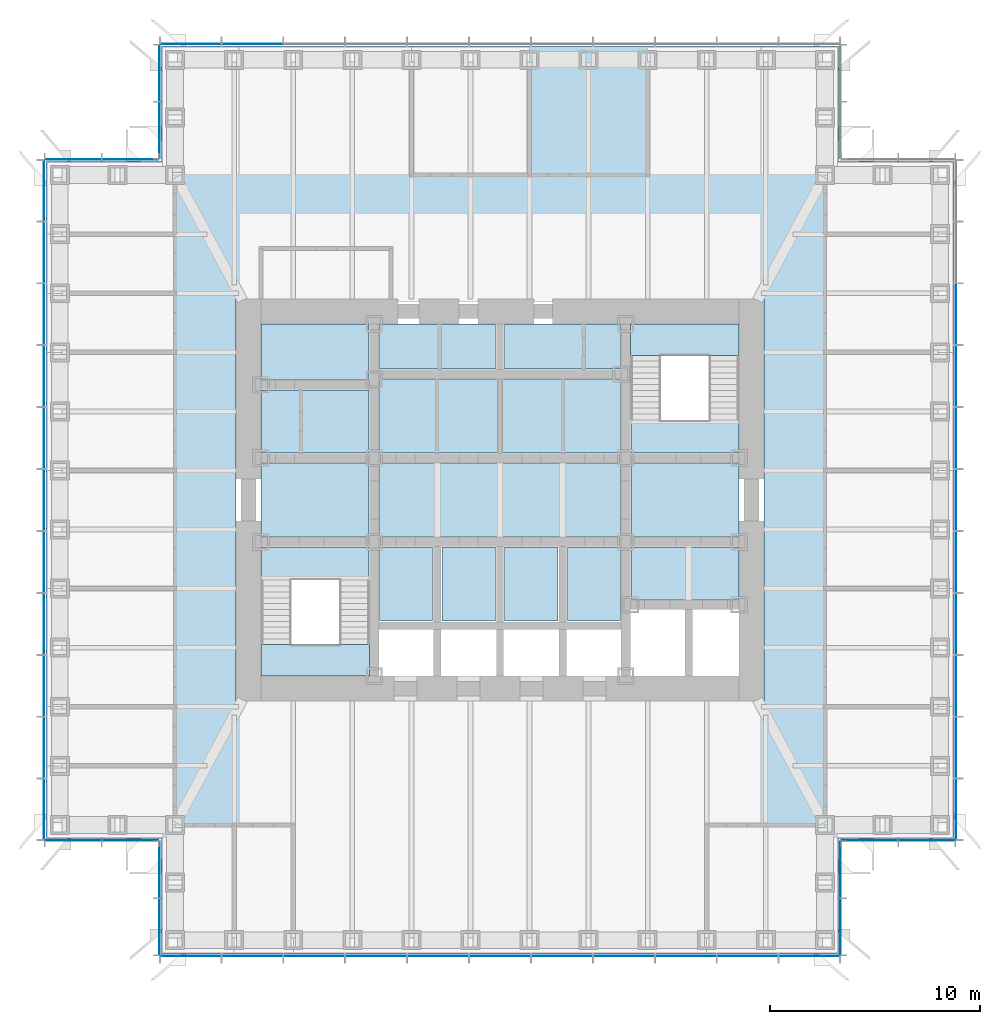
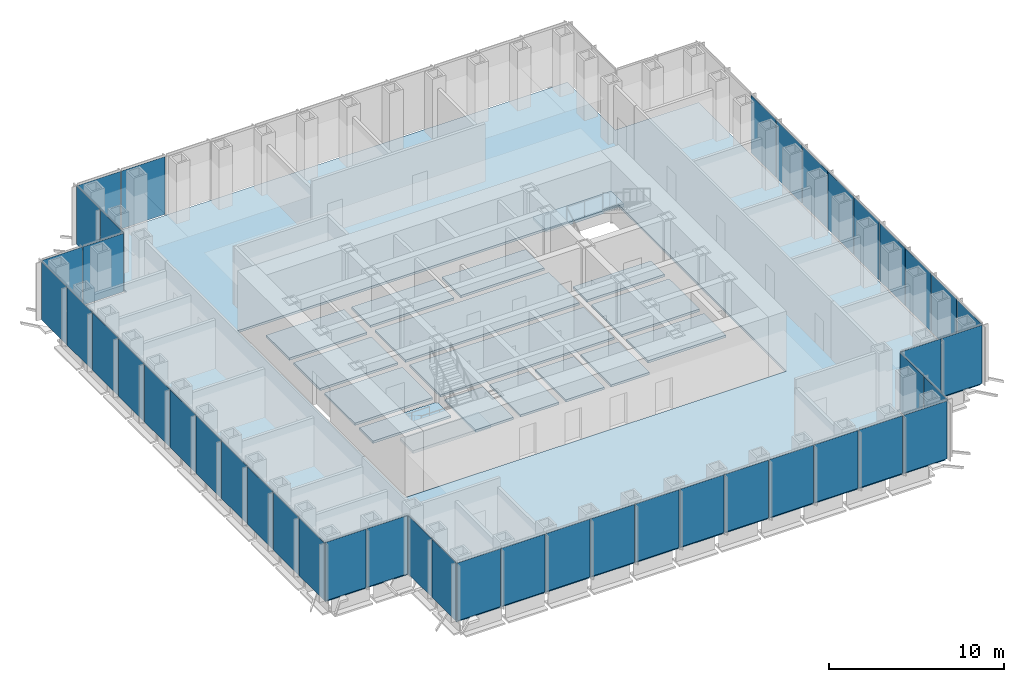
# One storey, part 7 of 17: 45 plates, 18 slabs, 12 elements without a shape of their own.
"""IFC4 building model written with IfcOpenShell, lengths in metres."""

from ifc_helpers import new_model, si_unit, direction, frame, origin, origin_2d, place, context, subcontext, project, spatial, polyline, rectangle, outline, extrude, material, layer, layer_set, type_object, element, aggregate, save


model = new_model("IFC4")

# Units and contexts
model_context = context("Model", 3, precision=1e-05, world=origin(), true_north=direction((0.0, 1.0)))
body_context = subcontext(model_context, "Body", "Model", "MODEL_VIEW")
ifc_project = project(units=[si_unit("LENGTHUNIT", "METRE"), si_unit("AREAUNIT", "SQUARE_METRE"), si_unit("VOLUMEUNIT", "CUBIC_METRE"), si_unit("PLANEANGLEUNIT", "RADIAN"), si_unit("MASSUNIT", "GRAM", prefix="KILO")], contexts=[model_context])

# Site, building, storey
site_placement = place(None, origin())
site = spatial("IfcSite", under=ifc_project, at=site_placement, CompositionType="ELEMENT")
building_placement = place(site_placement, origin())
building = spatial("IfcBuilding", under=site, at=building_placement, Name="Daluyong Arena Tower", CompositionType="ELEMENT")
storey_placement = place(building_placement, frame((0.0, 0.0, 185.5)))
storey = spatial("IfcBuildingStorey", under=building, at=storey_placement, Name="L41", CompositionType="ELEMENT", Elevation=185.5)

# Curtain wall, plates
ifc_material_1 = material(Name="Bronze anodised aluminium and glass", Category="aluminium")
curtain_wall_type_1 = type_object("IfcCurtainWallType", Name="Curtain wall CW3", PredefinedType="USERDEFINED", material=ifc_material_1)
curtain_wall_1_placement = place(storey_placement, origin())
curtain_wall_1 = element("IfcCurtainWall", 1, at=curtain_wall_1_placement, inside=storey, type_object=curtain_wall_type_1, Name="curtain wall L41 S", ObjectType="UNITISED CURTAIN WALL", PredefinedType="USERDEFINED")
ifc_material_2 = material(Name="Tinted double glazed unit", Category="glass")
ifc_layer_1 = layer(ifc_material_2, 0.030029296875)
ifc_layer_set_1 = layer_set([ifc_layer_1], Name="Tinted double glazed unit")
plate_type_1 = type_object("IfcPlateType", Name="CW3 panel 30", PredefinedType="CURTAIN_PANEL", material=ifc_layer_set_1)
plate_1_placement = place(storey_placement, frame((41.244873046875, 58.25, 0.0), z_axis=(0.0, 0.0, 1.0), x_axis=(1.0, 0.0, 0.0)))
plate_1 = element("IfcPlate", 2, at=plate_1_placement, type_object=plate_type_1, Name="curtain wall L41 S panel 1", PredefinedType="CURTAIN_PANEL", context=body_context, shape_type="SweptSolid", body=[
    extrude(rectangle(XDim=2.849609375, YDim=0.030029296875, at=origin_2d()), origin(), (0.0, 0.0, 1.0), 4.0400390625),
])
plate_2_placement = place(storey_placement, frame((44.181884765625, 58.25, 0.0), z_axis=(0.0, 0.0, 1.0), x_axis=(1.0, 0.0, 0.0)))
plate_2 = element("IfcPlate", 3, at=plate_2_placement, type_object=plate_type_1, Name="curtain wall L41 S panel 2", PredefinedType="CURTAIN_PANEL", context=body_context, shape_type="SweptSolid", body=[
    extrude(rectangle(XDim=2.884521484375, YDim=0.030029296875, at=origin_2d()), origin(), (0.0, 0.0, 1.0), 4.0400390625),
])
plate_3_placement = place(storey_placement, frame((47.136474609375, 58.25, 0.0), z_axis=(0.0, 0.0, 1.0), x_axis=(1.0, 0.0, 0.0)))
plate_3 = element("IfcPlate", 4, at=plate_3_placement, type_object=plate_type_1, Name="curtain wall L41 S panel 3", PredefinedType="CURTAIN_PANEL", context=body_context, shape_type="SweptSolid", body=[
    extrude(rectangle(XDim=2.884521484375, YDim=0.030029296875, at=origin_2d()), origin(), (0.0, 0.0, 1.0), 4.0400390625),
])
plate_4_placement = place(storey_placement, frame((50.0908203125, 58.25, 0.0), z_axis=(0.0, 0.0, 1.0), x_axis=(1.0, 0.0, 0.0)))
plate_4 = element("IfcPlate", 5, at=plate_4_placement, type_object=plate_type_1, Name="curtain wall L41 S panel 4", PredefinedType="CURTAIN_PANEL", context=body_context, shape_type="SweptSolid", body=[
    extrude(rectangle(XDim=2.884521484375, YDim=0.030029296875, at=origin_2d()), origin(), (0.0, 0.0, 1.0), 4.0400390625),
])
plate_5_placement = place(storey_placement, frame((53.04541015625, 58.25, 0.0), z_axis=(0.0, 0.0, 1.0), x_axis=(1.0, 0.0, 0.0)))
plate_5 = element("IfcPlate", 6, at=plate_5_placement, type_object=plate_type_1, Name="curtain wall L41 S panel 5", PredefinedType="CURTAIN_PANEL", context=body_context, shape_type="SweptSolid", body=[
    extrude(rectangle(XDim=2.884521484375, YDim=0.030029296875, at=origin_2d()), origin(), (0.0, 0.0, 1.0), 4.0400390625),
])
plate_6_placement = place(storey_placement, frame((56.0, 58.25, 0.0), z_axis=(0.0, 0.0, 1.0), x_axis=(1.0, 0.0, 0.0)))
plate_6 = element("IfcPlate", 7, at=plate_6_placement, type_object=plate_type_1, Name="curtain wall L41 S panel 6", PredefinedType="CURTAIN_PANEL", context=body_context, shape_type="SweptSolid", body=[
    extrude(rectangle(XDim=2.884521484375, YDim=0.030029296875, at=origin_2d()), origin(), (0.0, 0.0, 1.0), 4.0400390625),
])
plate_7_placement = place(storey_placement, frame((58.95458984375, 58.25, 0.0), z_axis=(0.0, 0.0, 1.0), x_axis=(1.0, 0.0, 0.0)))
plate_7 = element("IfcPlate", 8, at=plate_7_placement, type_object=plate_type_1, Name="curtain wall L41 S panel 7", PredefinedType="CURTAIN_PANEL", context=body_context, shape_type="SweptSolid", body=[
    extrude(rectangle(XDim=2.884521484375, YDim=0.030029296875, at=origin_2d()), origin(), (0.0, 0.0, 1.0), 4.0400390625),
])
plate_8_placement = place(storey_placement, frame((61.9091796875, 58.25, 0.0), z_axis=(0.0, 0.0, 1.0), x_axis=(1.0, 0.0, 0.0)))
plate_8 = element("IfcPlate", 9, at=plate_8_placement, type_object=plate_type_1, Name="curtain wall L41 S panel 8", PredefinedType="CURTAIN_PANEL", context=body_context, shape_type="SweptSolid", body=[
    extrude(rectangle(XDim=2.884521484375, YDim=0.030029296875, at=origin_2d()), origin(), (0.0, 0.0, 1.0), 4.0400390625),
])
plate_9_placement = place(storey_placement, frame((64.863525390625, 58.25, 0.0), z_axis=(0.0, 0.0, 1.0), x_axis=(1.0, 0.0, 0.0)))
plate_9 = element("IfcPlate", 10, at=plate_9_placement, type_object=plate_type_1, Name="curtain wall L41 S panel 9", PredefinedType="CURTAIN_PANEL", context=body_context, shape_type="SweptSolid", body=[
    extrude(rectangle(XDim=2.884521484375, YDim=0.030029296875, at=origin_2d()), origin(), (0.0, 0.0, 1.0), 4.0400390625),
])
plate_10_placement = place(storey_placement, frame((67.818115234375, 58.25, 0.0), z_axis=(0.0, 0.0, 1.0), x_axis=(1.0, 0.0, 0.0)))
plate_10 = element("IfcPlate", 11, at=plate_10_placement, type_object=plate_type_1, Name="curtain wall L41 S panel 10", PredefinedType="CURTAIN_PANEL", context=body_context, shape_type="SweptSolid", body=[
    extrude(rectangle(XDim=2.884521484375, YDim=0.030029296875, at=origin_2d()), origin(), (0.0, 0.0, 1.0), 4.0400390625),
])
plate_11_placement = place(storey_placement, frame((70.755126953125, 58.25, 0.0), z_axis=(0.0, 0.0, 1.0), x_axis=(1.0, 0.0, 0.0)))
plate_11 = element("IfcPlate", 12, at=plate_11_placement, type_object=plate_type_1, Name="curtain wall L41 S panel 11", PredefinedType="CURTAIN_PANEL", context=body_context, shape_type="SweptSolid", body=[
    extrude(rectangle(XDim=2.849609375, YDim=0.030029296875, at=origin_2d()), origin(), (0.0, 0.0, 1.0), 4.0400390625),
])
aggregate(curtain_wall_1, [plate_1, plate_2, plate_3, plate_4, plate_5, plate_6, plate_7, plate_8, plate_9, plate_10, plate_11])

curtain_wall_2_placement = place(storey_placement, origin())
curtain_wall_2 = element("IfcCurtainWall", 13, at=curtain_wall_2_placement, inside=storey, type_object=curtain_wall_type_1, Name="curtain wall L41 E", ObjectType="UNITISED CURTAIN WALL", PredefinedType="USERDEFINED")
plate_12_placement = place(storey_placement, frame((77.75, 65.244873046875, 0.0), z_axis=(0.0, 0.0, 1.0), x_axis=(0.0, 1.0, 0.0)))
plate_12 = element("IfcPlate", 14, at=plate_12_placement, type_object=plate_type_1, Name="curtain wall L41 E panel 1", PredefinedType="CURTAIN_PANEL", context=body_context, shape_type="SweptSolid", body=[
    extrude(rectangle(XDim=2.849609375, YDim=0.030029296875, at=origin_2d()), origin(), (0.0, 0.0, 1.0), 4.0400390625),
])
plate_13_placement = place(storey_placement, frame((77.75, 68.181884765625, 0.0), z_axis=(0.0, 0.0, 1.0), x_axis=(0.0, 1.0, 0.0)))
plate_13 = element("IfcPlate", 15, at=plate_13_placement, type_object=plate_type_1, Name="curtain wall L41 E panel 2", PredefinedType="CURTAIN_PANEL", context=body_context, shape_type="SweptSolid", body=[
    extrude(rectangle(XDim=2.884521484375, YDim=0.030029296875, at=origin_2d()), origin(), (0.0, 0.0, 1.0), 4.0400390625),
])
plate_14_placement = place(storey_placement, frame((77.75, 71.136474609375, 0.0), z_axis=(0.0, 0.0, 1.0), x_axis=(0.0, 1.0, 0.0)))
plate_14 = element("IfcPlate", 16, at=plate_14_placement, type_object=plate_type_1, Name="curtain wall L41 E panel 3", PredefinedType="CURTAIN_PANEL", context=body_context, shape_type="SweptSolid", body=[
    extrude(rectangle(XDim=2.884521484375, YDim=0.030029296875, at=origin_2d()), origin(), (0.0, 0.0, 1.0), 4.0400390625),
])
plate_15_placement = place(storey_placement, frame((77.75, 74.0908203125, 0.0), z_axis=(0.0, 0.0, 1.0), x_axis=(0.0, 1.0, 0.0)))
plate_15 = element("IfcPlate", 17, at=plate_15_placement, type_object=plate_type_1, Name="curtain wall L41 E panel 4", PredefinedType="CURTAIN_PANEL", context=body_context, shape_type="SweptSolid", body=[
    extrude(rectangle(XDim=2.884521484375, YDim=0.030029296875, at=origin_2d()), origin(), (0.0, 0.0, 1.0), 4.0400390625),
])
plate_16_placement = place(storey_placement, frame((77.75, 77.04541015625, 0.0), z_axis=(0.0, 0.0, 1.0), x_axis=(0.0, 1.0, 0.0)))
plate_16 = element("IfcPlate", 18, at=plate_16_placement, type_object=plate_type_1, Name="curtain wall L41 E panel 5", PredefinedType="CURTAIN_PANEL", context=body_context, shape_type="SweptSolid", body=[
    extrude(rectangle(XDim=2.884521484375, YDim=0.030029296875, at=origin_2d()), origin(), (0.0, 0.0, 1.0), 4.0400390625),
])
plate_17_placement = place(storey_placement, frame((77.75, 80.0, 0.0), z_axis=(0.0, 0.0, 1.0), x_axis=(0.0, 1.0, 0.0)))
plate_17 = element("IfcPlate", 19, at=plate_17_placement, type_object=plate_type_1, Name="curtain wall L41 E panel 6", PredefinedType="CURTAIN_PANEL", context=body_context, shape_type="SweptSolid", body=[
    extrude(rectangle(XDim=2.884521484375, YDim=0.030029296875, at=origin_2d()), origin(), (0.0, 0.0, 1.0), 4.0400390625),
])
plate_18_placement = place(storey_placement, frame((77.75, 82.95458984375, 0.0), z_axis=(0.0, 0.0, 1.0), x_axis=(0.0, 1.0, 0.0)))
plate_18 = element("IfcPlate", 20, at=plate_18_placement, type_object=plate_type_1, Name="curtain wall L41 E panel 7", PredefinedType="CURTAIN_PANEL", context=body_context, shape_type="SweptSolid", body=[
    extrude(rectangle(XDim=2.884521484375, YDim=0.030029296875, at=origin_2d()), origin(), (0.0, 0.0, 1.0), 4.0400390625),
])
plate_19_placement = place(storey_placement, frame((77.75, 85.9091796875, 0.0), z_axis=(0.0, 0.0, 1.0), x_axis=(0.0, 1.0, 0.0)))
plate_19 = element("IfcPlate", 21, at=plate_19_placement, type_object=plate_type_1, Name="curtain wall L41 E panel 8", PredefinedType="CURTAIN_PANEL", context=body_context, shape_type="SweptSolid", body=[
    extrude(rectangle(XDim=2.884521484375, YDim=0.030029296875, at=origin_2d()), origin(), (0.0, 0.0, 1.0), 4.0400390625),
])
plate_20_placement = place(storey_placement, frame((77.75, 88.863525390625, 0.0), z_axis=(0.0, 0.0, 1.0), x_axis=(0.0, 1.0, 0.0)))
plate_20 = element("IfcPlate", 22, at=plate_20_placement, type_object=plate_type_1, Name="curtain wall L41 E panel 9", PredefinedType="CURTAIN_PANEL", context=body_context, shape_type="SweptSolid", body=[
    extrude(rectangle(XDim=2.884521484375, YDim=0.030029296875, at=origin_2d()), origin(), (0.0, 0.0, 1.0), 4.0400390625),
])
aggregate(curtain_wall_2, [plate_12, plate_13, plate_14, plate_15, plate_16, plate_17, plate_18, plate_19, plate_20])

curtain_wall_3_placement = place(storey_placement, origin())
curtain_wall_3 = element("IfcCurtainWall", 23, at=curtain_wall_3_placement, inside=storey, type_object=curtain_wall_type_1, Name="curtain wall L41 N", ObjectType="UNITISED CURTAIN WALL", PredefinedType="USERDEFINED")
plate_21_placement = place(storey_placement, frame((44.181884765625, 101.75, 0.0), z_axis=(0.0, 0.0, 1.0), x_axis=(-1.0, 0.0, 0.0)))
plate_21 = element("IfcPlate", 24, at=plate_21_placement, type_object=plate_type_1, Name="curtain wall L41 N panel 10", PredefinedType="CURTAIN_PANEL", context=body_context, shape_type="SweptSolid", body=[
    extrude(rectangle(XDim=2.884521484375, YDim=0.030029296875, at=origin_2d()), origin(), (0.0, 0.0, 1.0), 4.0400390625),
])
plate_22_placement = place(storey_placement, frame((41.244873046875, 101.75, 0.0), z_axis=(0.0, 0.0, 1.0), x_axis=(-1.0, 0.0, 0.0)))
plate_22 = element("IfcPlate", 25, at=plate_22_placement, type_object=plate_type_1, Name="curtain wall L41 N panel 11", PredefinedType="CURTAIN_PANEL", context=body_context, shape_type="SweptSolid", body=[
    extrude(rectangle(XDim=2.849609375, YDim=0.030029296875, at=origin_2d()), origin(), (0.0, 0.0, 1.0), 4.0400390625),
])
aggregate(curtain_wall_3, [plate_21, plate_22])

curtain_wall_4_placement = place(storey_placement, origin())
curtain_wall_4 = element("IfcCurtainWall", 26, at=curtain_wall_4_placement, inside=storey, type_object=curtain_wall_type_1, Name="curtain wall L41 W", ObjectType="UNITISED CURTAIN WALL", PredefinedType="USERDEFINED")
plate_23_placement = place(storey_placement, frame((34.25, 94.755126953125, 0.0), z_axis=(0.0, 0.0, 1.0), x_axis=(0.0, -1.0, 0.0)))
plate_23 = element("IfcPlate", 27, at=plate_23_placement, type_object=plate_type_1, Name="curtain wall L41 W panel 1", PredefinedType="CURTAIN_PANEL", context=body_context, shape_type="SweptSolid", body=[
    extrude(rectangle(XDim=2.849609375, YDim=0.030029296875, at=origin_2d()), origin(), (0.0, 0.0, 1.0), 4.0400390625),
])
plate_24_placement = place(storey_placement, frame((34.25, 91.818115234375, 0.0), z_axis=(0.0, 0.0, 1.0), x_axis=(0.0, -1.0, 0.0)))
plate_24 = element("IfcPlate", 28, at=plate_24_placement, type_object=plate_type_1, Name="curtain wall L41 W panel 2", PredefinedType="CURTAIN_PANEL", context=body_context, shape_type="SweptSolid", body=[
    extrude(rectangle(XDim=2.884521484375, YDim=0.030029296875, at=origin_2d()), origin(), (0.0, 0.0, 1.0), 4.0400390625),
])
plate_25_placement = place(storey_placement, frame((34.25, 88.863525390625, 0.0), z_axis=(0.0, 0.0, 1.0), x_axis=(0.0, -1.0, 0.0)))
plate_25 = element("IfcPlate", 29, at=plate_25_placement, type_object=plate_type_1, Name="curtain wall L41 W panel 3", PredefinedType="CURTAIN_PANEL", context=body_context, shape_type="SweptSolid", body=[
    extrude(rectangle(XDim=2.884521484375, YDim=0.030029296875, at=origin_2d()), origin(), (0.0, 0.0, 1.0), 4.0400390625),
])
plate_26_placement = place(storey_placement, frame((34.25, 85.9091796875, 0.0), z_axis=(0.0, 0.0, 1.0), x_axis=(0.0, -1.0, 0.0)))
plate_26 = element("IfcPlate", 30, at=plate_26_placement, type_object=plate_type_1, Name="curtain wall L41 W panel 4", PredefinedType="CURTAIN_PANEL", context=body_context, shape_type="SweptSolid", body=[
    extrude(rectangle(XDim=2.884521484375, YDim=0.030029296875, at=origin_2d()), origin(), (0.0, 0.0, 1.0), 4.0400390625),
])
plate_27_placement = place(storey_placement, frame((34.25, 82.95458984375, 0.0), z_axis=(0.0, 0.0, 1.0), x_axis=(0.0, -1.0, 0.0)))
plate_27 = element("IfcPlate", 31, at=plate_27_placement, type_object=plate_type_1, Name="curtain wall L41 W panel 5", PredefinedType="CURTAIN_PANEL", context=body_context, shape_type="SweptSolid", body=[
    extrude(rectangle(XDim=2.884521484375, YDim=0.030029296875, at=origin_2d()), origin(), (0.0, 0.0, 1.0), 4.0400390625),
])
plate_28_placement = place(storey_placement, frame((34.25, 80.0, 0.0), z_axis=(0.0, 0.0, 1.0), x_axis=(0.0, -1.0, 0.0)))
plate_28 = element("IfcPlate", 32, at=plate_28_placement, type_object=plate_type_1, Name="curtain wall L41 W panel 6", PredefinedType="CURTAIN_PANEL", context=body_context, shape_type="SweptSolid", body=[
    extrude(rectangle(XDim=2.884521484375, YDim=0.030029296875, at=origin_2d()), origin(), (0.0, 0.0, 1.0), 4.0400390625),
])
plate_29_placement = place(storey_placement, frame((34.25, 77.04541015625, 0.0), z_axis=(0.0, 0.0, 1.0), x_axis=(0.0, -1.0, 0.0)))
plate_29 = element("IfcPlate", 33, at=plate_29_placement, type_object=plate_type_1, Name="curtain wall L41 W panel 7", PredefinedType="CURTAIN_PANEL", context=body_context, shape_type="SweptSolid", body=[
    extrude(rectangle(XDim=2.884521484375, YDim=0.030029296875, at=origin_2d()), origin(), (0.0, 0.0, 1.0), 4.0400390625),
])
plate_30_placement = place(storey_placement, frame((34.25, 74.0908203125, 0.0), z_axis=(0.0, 0.0, 1.0), x_axis=(0.0, -1.0, 0.0)))
plate_30 = element("IfcPlate", 34, at=plate_30_placement, type_object=plate_type_1, Name="curtain wall L41 W panel 8", PredefinedType="CURTAIN_PANEL", context=body_context, shape_type="SweptSolid", body=[
    extrude(rectangle(XDim=2.884521484375, YDim=0.030029296875, at=origin_2d()), origin(), (0.0, 0.0, 1.0), 4.0400390625),
])
plate_31_placement = place(storey_placement, frame((34.25, 71.136474609375, 0.0), z_axis=(0.0, 0.0, 1.0), x_axis=(0.0, -1.0, 0.0)))
plate_31 = element("IfcPlate", 35, at=plate_31_placement, type_object=plate_type_1, Name="curtain wall L41 W panel 9", PredefinedType="CURTAIN_PANEL", context=body_context, shape_type="SweptSolid", body=[
    extrude(rectangle(XDim=2.884521484375, YDim=0.030029296875, at=origin_2d()), origin(), (0.0, 0.0, 1.0), 4.0400390625),
])
plate_32_placement = place(storey_placement, frame((34.25, 68.181884765625, 0.0), z_axis=(0.0, 0.0, 1.0), x_axis=(0.0, -1.0, 0.0)))
plate_32 = element("IfcPlate", 36, at=plate_32_placement, type_object=plate_type_1, Name="curtain wall L41 W panel 10", PredefinedType="CURTAIN_PANEL", context=body_context, shape_type="SweptSolid", body=[
    extrude(rectangle(XDim=2.884521484375, YDim=0.030029296875, at=origin_2d()), origin(), (0.0, 0.0, 1.0), 4.0400390625),
])
plate_33_placement = place(storey_placement, frame((34.25, 65.244873046875, 0.0), z_axis=(0.0, 0.0, 1.0), x_axis=(0.0, -1.0, 0.0)))
plate_33 = element("IfcPlate", 37, at=plate_33_placement, type_object=plate_type_1, Name="curtain wall L41 W panel 11", PredefinedType="CURTAIN_PANEL", context=body_context, shape_type="SweptSolid", body=[
    extrude(rectangle(XDim=2.849609375, YDim=0.030029296875, at=origin_2d()), origin(), (0.0, 0.0, 1.0), 4.0400390625),
])
aggregate(curtain_wall_4, [plate_23, plate_24, plate_25, plate_26, plate_27, plate_28, plate_29, plate_30, plate_31, plate_32, plate_33])

ifc_material_3 = material(Name="Bronze anodised aluminium and glass", Category="aluminium")
curtain_wall_type_2 = type_object("IfcCurtainWallType", Name="Curtain wall CW7", PredefinedType="USERDEFINED", material=ifc_material_3)
curtain_wall_5_placement = place(storey_placement, origin())
curtain_wall_5 = element("IfcCurtainWall", 38, at=curtain_wall_5_placement, inside=storey, type_object=curtain_wall_type_2, Name="curtain wall L41 SE-E", ObjectType="UNITISED CURTAIN WALL", PredefinedType="USERDEFINED")
ifc_material_4 = material(Name="Tinted double glazed unit", Category="glass")
ifc_layer_2 = layer(ifc_material_4, 0.028076171875)
ifc_layer_set_2 = layer_set([ifc_layer_2], Name="Tinted double glazed unit")
plate_type_2 = type_object("IfcPlateType", Name="CW7 panel 28", PredefinedType="CURTAIN_PANEL", material=ifc_layer_set_2)
plate_34_placement = place(storey_placement, frame((72.25, 59.639892578125, 0.0), z_axis=(0.0, 0.0, 1.0), x_axis=(0.0, 1.0, 0.0)))
plate_34 = element("IfcPlate", 39, at=plate_34_placement, type_object=plate_type_2, Name="curtain wall L41 SE-E panel 1", PredefinedType="CURTAIN_PANEL", context=body_context, shape_type="SweptSolid", body=[
    extrude(rectangle(XDim=2.659912109375, YDim=0.028076171875, at=origin_2d()), origin(), (0.0, 0.0, 1.0), 4.080078125),
])
plate_35_placement = place(storey_placement, frame((72.25, 62.360107421875, 0.0), z_axis=(0.0, 0.0, 1.0), x_axis=(0.0, 1.0, 0.0)))
plate_35 = element("IfcPlate", 40, at=plate_35_placement, type_object=plate_type_2, Name="curtain wall L41 SE-E panel 2", PredefinedType="CURTAIN_PANEL", context=body_context, shape_type="SweptSolid", body=[
    extrude(rectangle(XDim=2.659912109375, YDim=0.028076171875, at=origin_2d()), origin(), (0.0, 0.0, 1.0), 4.080078125),
])
aggregate(curtain_wall_5, [plate_34, plate_35])

curtain_wall_6_placement = place(storey_placement, origin())
curtain_wall_6 = element("IfcCurtainWall", 41, at=curtain_wall_6_placement, inside=storey, type_object=curtain_wall_type_2, Name="curtain wall L41 SE-S", ObjectType="UNITISED CURTAIN WALL", PredefinedType="USERDEFINED")
plate_36_placement = place(storey_placement, frame((73.639892578125, 63.75, 0.0), z_axis=(0.0, 0.0, 1.0), x_axis=(1.0, 0.0, 0.0)))
plate_36 = element("IfcPlate", 42, at=plate_36_placement, type_object=plate_type_2, Name="curtain wall L41 SE-S panel 1", PredefinedType="CURTAIN_PANEL", context=body_context, shape_type="SweptSolid", body=[
    extrude(rectangle(XDim=2.659912109375, YDim=0.028076171875, at=origin_2d()), origin(), (0.0, 0.0, 1.0), 4.080078125),
])
plate_37_placement = place(storey_placement, frame((76.360107421875, 63.75, 0.0), z_axis=(0.0, 0.0, 1.0), x_axis=(1.0, 0.0, 0.0)))
plate_37 = element("IfcPlate", 43, at=plate_37_placement, type_object=plate_type_2, Name="curtain wall L41 SE-S panel 2", PredefinedType="CURTAIN_PANEL", context=body_context, shape_type="SweptSolid", body=[
    extrude(rectangle(XDim=2.659912109375, YDim=0.028076171875, at=origin_2d()), origin(), (0.0, 0.0, 1.0), 4.080078125),
])
aggregate(curtain_wall_6, [plate_36, plate_37])

curtain_wall_7_placement = place(storey_placement, origin())
curtain_wall_7 = element("IfcCurtainWall", 44, at=curtain_wall_7_placement, inside=storey, type_object=curtain_wall_type_2, Name="curtain wall L41 NW-W", ObjectType="UNITISED CURTAIN WALL", PredefinedType="USERDEFINED")
plate_38_placement = place(storey_placement, frame((39.75, 100.360107421875, 0.0), z_axis=(0.0, 0.0, 1.0), x_axis=(0.0, -1.0, 0.0)))
plate_38 = element("IfcPlate", 45, at=plate_38_placement, type_object=plate_type_2, Name="curtain wall L41 NW-W panel 1", PredefinedType="CURTAIN_PANEL", context=body_context, shape_type="SweptSolid", body=[
    extrude(rectangle(XDim=2.659912109375, YDim=0.028076171875, at=origin_2d()), origin(), (0.0, 0.0, 1.0), 4.080078125),
])
plate_39_placement = place(storey_placement, frame((39.75, 97.639892578125, 0.0), z_axis=(0.0, 0.0, 1.0), x_axis=(0.0, -1.0, 0.0)))
plate_39 = element("IfcPlate", 46, at=plate_39_placement, type_object=plate_type_2, Name="curtain wall L41 NW-W panel 2", PredefinedType="CURTAIN_PANEL", context=body_context, shape_type="SweptSolid", body=[
    extrude(rectangle(XDim=2.659912109375, YDim=0.028076171875, at=origin_2d()), origin(), (0.0, 0.0, 1.0), 4.080078125),
])
aggregate(curtain_wall_7, [plate_38, plate_39])

curtain_wall_8_placement = place(storey_placement, origin())
curtain_wall_8 = element("IfcCurtainWall", 47, at=curtain_wall_8_placement, inside=storey, type_object=curtain_wall_type_2, Name="curtain wall L41 NW-N", ObjectType="UNITISED CURTAIN WALL", PredefinedType="USERDEFINED")
plate_40_placement = place(storey_placement, frame((38.360107421875, 96.25, 0.0), z_axis=(0.0, 0.0, 1.0), x_axis=(-1.0, 0.0, 0.0)))
plate_40 = element("IfcPlate", 48, at=plate_40_placement, type_object=plate_type_2, Name="curtain wall L41 NW-N panel 1", PredefinedType="CURTAIN_PANEL", context=body_context, shape_type="SweptSolid", body=[
    extrude(rectangle(XDim=2.659912109375, YDim=0.028076171875, at=origin_2d()), origin(), (0.0, 0.0, 1.0), 4.080078125),
])
plate_41_placement = place(storey_placement, frame((35.639892578125, 96.25, 0.0), z_axis=(0.0, 0.0, 1.0), x_axis=(-1.0, 0.0, 0.0)))
plate_41 = element("IfcPlate", 49, at=plate_41_placement, type_object=plate_type_2, Name="curtain wall L41 NW-N panel 2", PredefinedType="CURTAIN_PANEL", context=body_context, shape_type="SweptSolid", body=[
    extrude(rectangle(XDim=2.659912109375, YDim=0.028076171875, at=origin_2d()), origin(), (0.0, 0.0, 1.0), 4.080078125),
])
aggregate(curtain_wall_8, [plate_40, plate_41])

curtain_wall_9_placement = place(storey_placement, origin())
curtain_wall_9 = element("IfcCurtainWall", 50, at=curtain_wall_9_placement, inside=storey, type_object=curtain_wall_type_2, Name="curtain wall L41 SW-S", ObjectType="UNITISED CURTAIN WALL", PredefinedType="USERDEFINED")
plate_42_placement = place(storey_placement, frame((35.639892578125, 63.75, 0.0), z_axis=(0.0, 0.0, 1.0), x_axis=(1.0, 0.0, 0.0)))
plate_42 = element("IfcPlate", 51, at=plate_42_placement, type_object=plate_type_2, Name="curtain wall L41 SW-S panel 1", PredefinedType="CURTAIN_PANEL", context=body_context, shape_type="SweptSolid", body=[
    extrude(rectangle(XDim=2.659912109375, YDim=0.028076171875, at=origin_2d()), origin(), (0.0, 0.0, 1.0), 4.080078125),
])
plate_43_placement = place(storey_placement, frame((38.360107421875, 63.75, 0.0), z_axis=(0.0, 0.0, 1.0), x_axis=(1.0, 0.0, 0.0)))
plate_43 = element("IfcPlate", 52, at=plate_43_placement, type_object=plate_type_2, Name="curtain wall L41 SW-S panel 2", PredefinedType="CURTAIN_PANEL", context=body_context, shape_type="SweptSolid", body=[
    extrude(rectangle(XDim=2.659912109375, YDim=0.028076171875, at=origin_2d()), origin(), (0.0, 0.0, 1.0), 4.080078125),
])
aggregate(curtain_wall_9, [plate_42, plate_43])

curtain_wall_10_placement = place(storey_placement, origin())
curtain_wall_10 = element("IfcCurtainWall", 53, at=curtain_wall_10_placement, inside=storey, type_object=curtain_wall_type_2, Name="curtain wall L41 SW-W", ObjectType="UNITISED CURTAIN WALL", PredefinedType="USERDEFINED")
plate_44_placement = place(storey_placement, frame((39.75, 62.360107421875, 0.0), z_axis=(0.0, 0.0, 1.0), x_axis=(0.0, -1.0, 0.0)))
plate_44 = element("IfcPlate", 54, at=plate_44_placement, type_object=plate_type_2, Name="curtain wall L41 SW-W panel 1", PredefinedType="CURTAIN_PANEL", context=body_context, shape_type="SweptSolid", body=[
    extrude(rectangle(XDim=2.659912109375, YDim=0.028076171875, at=origin_2d()), origin(), (0.0, 0.0, 1.0), 4.080078125),
])
plate_45_placement = place(storey_placement, frame((39.75, 59.639892578125, 0.0), z_axis=(0.0, 0.0, 1.0), x_axis=(0.0, -1.0, 0.0)))
plate_45 = element("IfcPlate", 55, at=plate_45_placement, type_object=plate_type_2, Name="curtain wall L41 SW-W panel 2", PredefinedType="CURTAIN_PANEL", context=body_context, shape_type="SweptSolid", body=[
    extrude(rectangle(XDim=2.659912109375, YDim=0.028076171875, at=origin_2d()), origin(), (0.0, 0.0, 1.0), 4.080078125),
])
aggregate(curtain_wall_10, [plate_44, plate_45])

# Stair, slab
ifc_material_5 = material(Name="Concrete fc' 35 MPa", Category="concrete")
stair_type = type_object("IfcStairType", Name="Core exit stair", PredefinedType="HALF_TURN_STAIR", material=ifc_material_5)
stair_1_placement = place(storey_placement, origin())
stair_1 = element("IfcStair", 56, at=stair_1_placement, inside=storey, type_object=stair_type, Name="exit stair A L41", PredefinedType="HALF_TURN_STAIR")
ifc_material_6 = material(Name="Concrete fc' 35 MPa", Category="concrete")
ifc_layer_3 = layer(ifc_material_6, 0.199951171875)
ifc_layer_set_3 = layer_set([ifc_layer_3], Name="Concrete fc' 35 MPa")
slab_type_1 = type_object("IfcSlabType", Name="Stair landing 200", PredefinedType="LANDING", material=ifc_layer_set_3)
slab_1_placement = place(storey_placement, frame((0.0, 0.0, 1.89990234375)))
slab_1 = element("IfcSlab", 57, at=slab_1_placement, type_object=slab_type_1, Name="STA landing 1", PredefinedType="LANDING", context=body_context, shape_type="SweptSolid", body=[
    extrude(outline(polyline([(44.60009765625, 71.60009765625), (49.77490234375, 71.60009765625), (49.77490234375, 73.094970703125), (44.60009765625, 73.094970703125), (44.60009765625, 71.60009765625)])), origin(), (0.0, 0.0, 1.0), 0.2001953125),
])
aggregate(stair_1, [slab_1])

stair_2_placement = place(storey_placement, origin())
stair_2 = element("IfcStair", 58, at=stair_2_placement, inside=storey, type_object=stair_type, Name="exit stair B L41", PredefinedType="HALF_TURN_STAIR")
slab_2_placement = place(storey_placement, frame((0.0, 0.0, 1.89990234375)))
slab_2 = element("IfcSlab", 59, at=slab_2_placement, type_object=slab_type_1, Name="STB landing 1", PredefinedType="LANDING", context=body_context, shape_type="SweptSolid", body=[
    extrude(outline(polyline([(62.22509765625, 86.905029296875), (67.39990234375, 86.905029296875), (67.39990234375, 88.39990234375), (62.22509765625, 88.39990234375), (62.22509765625, 86.905029296875)])), origin(), (0.0, 0.0, 1.0), 0.2001953125),
])
aggregate(stair_2, [slab_2])

# Slabs
ifc_material_7 = material(Name="Concrete fc' 35 MPa", Category="concrete")
ifc_layer_4 = layer(ifc_material_7, 0.159912109375)
ifc_layer_set_4 = layer_set([ifc_layer_4], Name="Concrete fc' 35 MPa")
slab_type_2 = type_object("IfcSlabType", Name="Tower floor slab 160", PredefinedType="FLOOR", material=ifc_layer_set_4)
slab_3_placement = place(storey_placement, frame((0.0, 0.0, -0.159912109375)))
element("IfcSlab", 60, at=slab_3_placement, inside=storey, type_object=slab_type_2, Name="floor L41 part 1", PredefinedType="FLOOR", context=body_context, shape_type="SweptSolid", body=[
    extrude(outline(polyline([(49.75, 77.75), (44.60009765625, 77.75), (44.60009765625, 76.175048828125), (49.75, 76.175048828125), (49.75, 77.75)])), origin(), (0.0, 0.0, 1.0), 0.159912109375),
])
slab_4_placement = place(storey_placement, frame((0.0, 0.0, -0.159912109375)))
element("IfcSlab", 61, at=slab_4_placement, inside=storey, type_object=slab_type_2, Name="floor L41 part 2", PredefinedType="FLOOR", context=body_context, shape_type="SweptSolid", body=[
    extrude(outline(polyline([(49.75, 78.25), (49.75, 81.75), (44.60009765625, 81.75), (44.60009765625, 78.25), (49.75, 78.25)])), origin(), (0.0, 0.0, 1.0), 0.159912109375),
])
slab_5_placement = place(storey_placement, frame((0.0, 0.0, -0.159912109375)))
element("IfcSlab", 62, at=slab_5_placement, inside=storey, type_object=slab_type_2, Name="floor L41 part 3", PredefinedType="FLOOR", context=body_context, shape_type="SweptSolid", body=[
    extrude(outline(polyline([(44.60009765625, 85.25), (44.60009765625, 82.25), (49.75, 82.25), (49.75, 85.25), (44.60009765625, 85.25)])), origin(), (0.0, 0.0, 1.0), 0.159912109375),
])
slab_6_placement = place(storey_placement, frame((0.0, 0.0, -0.159912109375)))
element("IfcSlab", 63, at=slab_6_placement, inside=storey, type_object=slab_type_2, Name="floor L41 part 4", PredefinedType="FLOOR", context=body_context, shape_type="SweptSolid", body=[
    extrude(outline(polyline([(44.60009765625, 88.39990234375), (44.60009765625, 85.75), (49.75, 85.75), (49.75, 88.39990234375), (44.60009765625, 88.39990234375)])), origin(), (0.0, 0.0, 1.0), 0.159912109375),
])
slab_7_placement = place(storey_placement, frame((0.0, 0.0, -0.159912109375)))
element("IfcSlab", 64, at=slab_7_placement, inside=storey, type_object=slab_type_2, Name="floor L41 part 5", PredefinedType="FLOOR", context=body_context, shape_type="SweptSolid", body=[
    extrude(outline(polyline([(52.77490234375, 74.22509765625), (52.77490234375, 77.75), (50.25, 77.75), (50.25, 74.22509765625), (52.77490234375, 74.22509765625)])), origin(), (0.0, 0.0, 1.0), 0.159912109375),
])
slab_8_placement = place(storey_placement, frame((0.0, 0.0, -0.159912109375)))
element("IfcSlab", 65, at=slab_8_placement, inside=storey, type_object=slab_type_2, Name="floor L41 part 6", PredefinedType="FLOOR", context=body_context, shape_type="SweptSolid", body=[
    extrude(outline(polyline([(50.25, 88.39990234375), (50.25, 86.25), (55.77490234375, 86.25), (55.77490234375, 88.39990234375), (50.25, 88.39990234375)])), origin(), (0.0, 0.0, 1.0), 0.159912109375),
])
slab_9_placement = place(storey_placement, frame((0.0, 0.0, -0.159912109375)))
element("IfcSlab", 66, at=slab_9_placement, inside=storey, type_object=slab_type_2, Name="floor L41 part 7", PredefinedType="FLOOR", context=body_context, shape_type="SweptSolid", body=[
    extrude(outline(polyline([(53.22509765625, 74.22509765625), (55.77490234375, 74.22509765625), (55.77490234375, 77.75), (53.22509765625, 77.75), (53.22509765625, 74.22509765625)])), origin(), (0.0, 0.0, 1.0), 0.159912109375),
])
slab_10_placement = place(storey_placement, frame((0.0, 0.0, -0.159912109375)))
element("IfcSlab", 67, at=slab_10_placement, inside=storey, type_object=slab_type_2, Name="floor L41 part 8", PredefinedType="FLOOR", context=body_context, shape_type="SweptSolid", body=[
    extrude(outline(polyline([(39.85009765625, 63.85009765625), (39.85009765625, 58.35009765625), (72.14990234375, 58.35009765625), (72.14990234375, 63.85009765625), (77.64990234375, 63.85009765625), (77.64990234375, 96.14990234375), (72.14990234375, 96.14990234375), (72.14990234375, 101.64990234375), (39.85009765625, 101.64990234375), (39.85009765625, 96.14990234375), (34.35009765625, 96.14990234375), (34.35009765625, 63.85009765625), (39.85009765625, 63.85009765625)]), holes=[polyline([(68.60009765625, 89.60009765625), (68.60009765625, 70.39990234375), (43.39990234375, 70.39990234375), (43.39990234375, 89.60009765625), (68.60009765625, 89.60009765625)])]), origin(), (0.0, 0.0, 1.0), 0.159912109375),
])
slab_11_placement = place(storey_placement, frame((0.0, 0.0, -0.159912109375)))
element("IfcSlab", 68, at=slab_11_placement, inside=storey, type_object=slab_type_2, Name="floor L41 part 9", PredefinedType="FLOOR", context=body_context, shape_type="SweptSolid", body=[
    extrude(outline(polyline([(50.25, 81.75), (50.25, 78.25), (61.75, 78.25), (61.75, 81.75), (50.25, 81.75)])), origin(), (0.0, 0.0, 1.0), 0.159912109375),
])
slab_12_placement = place(storey_placement, frame((0.0, 0.0, -0.159912109375)))
element("IfcSlab", 69, at=slab_12_placement, inside=storey, type_object=slab_type_2, Name="floor L41 part 10", PredefinedType="FLOOR", context=body_context, shape_type="SweptSolid", body=[
    extrude(outline(polyline([(50.25, 85.75), (50.25, 82.25), (61.75, 82.25), (61.75, 85.75), (50.25, 85.75)])), origin(), (0.0, 0.0, 1.0), 0.159912109375),
])
slab_13_placement = place(storey_placement, frame((0.0, 0.0, -0.159912109375)))
element("IfcSlab", 70, at=slab_13_placement, inside=storey, type_object=slab_type_2, Name="floor L41 part 11", PredefinedType="FLOOR", context=body_context, shape_type="SweptSolid", body=[
    extrude(outline(polyline([(58.77490234375, 77.75), (56.22509765625, 77.75), (56.22509765625, 74.22509765625), (58.77490234375, 74.22509765625), (58.77490234375, 77.75)])), origin(), (0.0, 0.0, 1.0), 0.159912109375),
])
slab_14_placement = place(storey_placement, frame((0.0, 0.0, -0.159912109375)))
element("IfcSlab", 71, at=slab_14_placement, inside=storey, type_object=slab_type_2, Name="floor L41 part 12", PredefinedType="FLOOR", context=body_context, shape_type="SweptSolid", body=[
    extrude(outline(polyline([(56.22509765625, 88.39990234375), (56.22509765625, 86.25), (61.75, 86.25), (61.75, 88.39990234375), (56.22509765625, 88.39990234375)])), origin(), (0.0, 0.0, 1.0), 0.159912109375),
])
slab_15_placement = place(storey_placement, frame((0.0, 0.0, -0.159912109375)))
element("IfcSlab", 72, at=slab_15_placement, inside=storey, type_object=slab_type_2, Name="floor L41 part 13", PredefinedType="FLOOR", context=body_context, shape_type="SweptSolid", body=[
    extrude(outline(polyline([(61.75, 77.75), (59.22509765625, 77.75), (59.22509765625, 74.22509765625), (61.75, 74.22509765625), (61.75, 77.75)])), origin(), (0.0, 0.0, 1.0), 0.159912109375),
])
slab_16_placement = place(storey_placement, frame((0.0, 0.0, -0.159912109375)))
element("IfcSlab", 73, at=slab_16_placement, inside=storey, type_object=slab_type_2, Name="floor L41 part 14", PredefinedType="FLOOR", context=body_context, shape_type="SweptSolid", body=[
    extrude(outline(polyline([(67.39990234375, 83.824951171875), (62.25, 83.824951171875), (62.25, 82.25), (67.39990234375, 82.25), (67.39990234375, 83.824951171875)])), origin(), (0.0, 0.0, 1.0), 0.159912109375),
])
slab_17_placement = place(storey_placement, frame((0.0, 0.0, -0.159912109375)))
element("IfcSlab", 74, at=slab_17_placement, inside=storey, type_object=slab_type_2, Name="floor L41 part 15", PredefinedType="FLOOR", context=body_context, shape_type="SweptSolid", body=[
    extrude(outline(polyline([(67.39990234375, 75.25), (67.39990234375, 77.75), (62.25, 77.75), (62.25, 75.25), (67.39990234375, 75.25)])), origin(), (0.0, 0.0, 1.0), 0.159912109375),
])
slab_18_placement = place(storey_placement, frame((0.0, 0.0, -0.159912109375)))
element("IfcSlab", 75, at=slab_18_placement, inside=storey, type_object=slab_type_2, Name="floor L41 part 16", PredefinedType="FLOOR", context=body_context, shape_type="SweptSolid", body=[
    extrude(outline(polyline([(67.39990234375, 78.25), (67.39990234375, 81.75), (62.25, 81.75), (62.25, 78.25), (67.39990234375, 78.25)])), origin(), (0.0, 0.0, 1.0), 0.159912109375),
])

save(model, "model.ifc")
